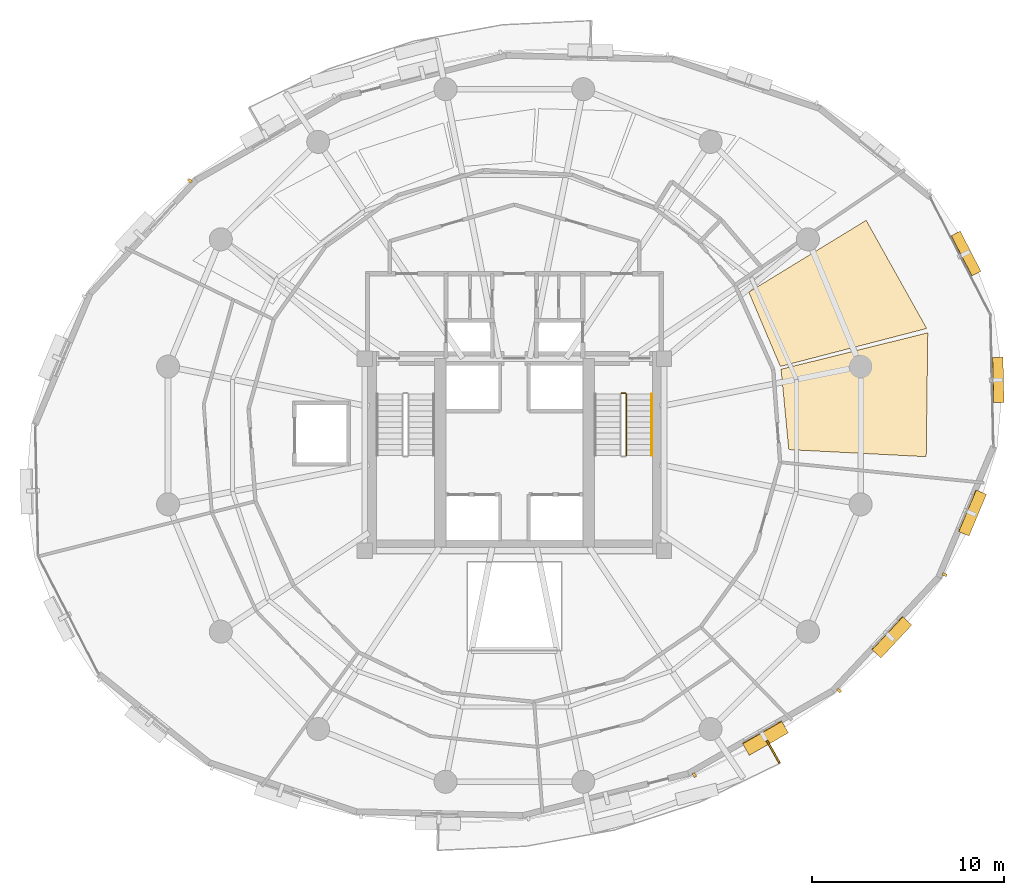
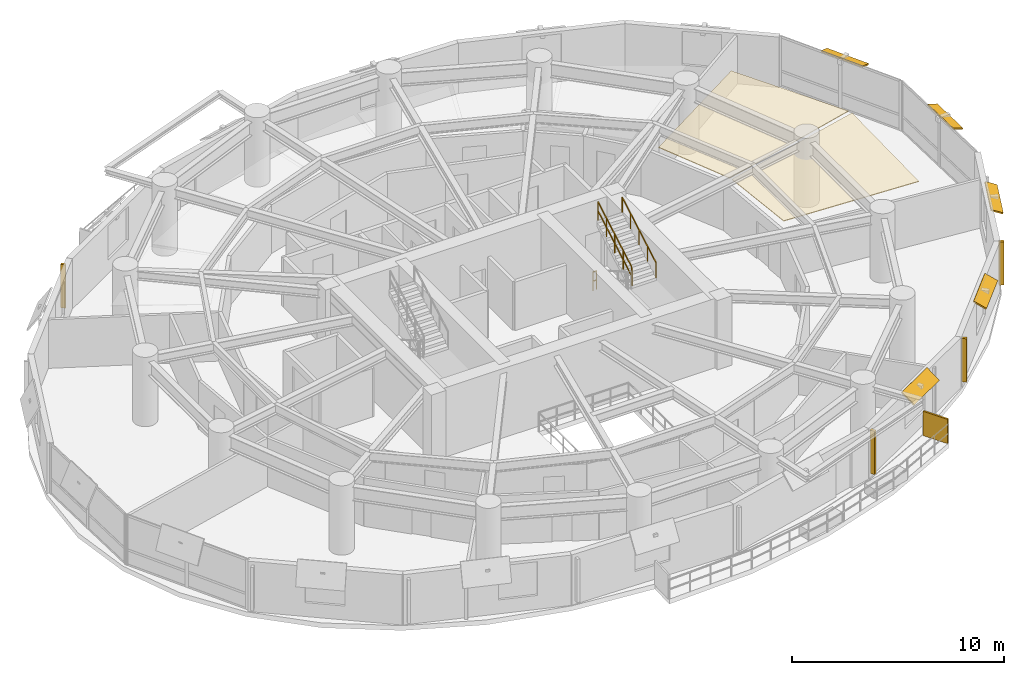
# One storey, part 14 of 15: 10 shading devices, 3 railings, 2 coverings.
"""IFC4 building model written with IfcOpenShell, lengths in metres."""

from ifc_helpers import new_model, si_unit, direction, frame, origin, origin_2d, place, context, subcontext, project, spatial, polyline, rectangle, outline, extrude, material, layer, layer_set, type_object, element, save


model = new_model("IFC4")

# Units and contexts
model_context = context("Model", 3, precision=1e-05, world=origin(), true_north=direction((0.0, 1.0)))
body_context = subcontext(model_context, "Body", "Model", "MODEL_VIEW")
ifc_project = project(units=[si_unit("LENGTHUNIT", "METRE"), si_unit("AREAUNIT", "SQUARE_METRE"), si_unit("VOLUMEUNIT", "CUBIC_METRE"), si_unit("PLANEANGLEUNIT", "RADIAN"), si_unit("MASSUNIT", "GRAM", prefix="KILO"), si_unit("THERMODYNAMICTEMPERATUREUNIT", "KELVIN"), si_unit("POWERUNIT", "WATT")], contexts=[model_context])

# Site, building, storey
site_placement = place(None, origin())
site = spatial("IfcSite", under=ifc_project, at=site_placement, CompositionType="ELEMENT")
building_placement = place(site_placement, origin())
building = spatial("IfcBuilding", under=site, at=building_placement, Name="Ocrelia Relay Tower", CompositionType="ELEMENT")
storey_placement = place(building_placement, frame((0.0, 0.0, 93.800048828125)))
storey = spatial("IfcBuildingStorey", under=building, at=storey_placement, Name="L21", CompositionType="ELEMENT", Elevation=93.800048828125)

# Coverings
ifc_material_1 = material(Name="Cleanroom metal-pan acoustic ceiling", Category="aluminium")
ifc_layer_1 = layer(ifc_material_1, 0.0400390625, Name="Cleanroom metal-pan acoustic ceiling")
ifc_layer_set_1 = layer_set([ifc_layer_1], Name="Cleanroom metal-pan acoustic ceiling")
covering_type = type_object("IfcCoveringType", Name="COV-CEIL-CLEAN", PredefinedType="CEILING", material=ifc_layer_set_1)
covering_1_placement = place(storey_placement, frame((0.0, 0.0, 2.719970703125)))
element("IfcCovering", 1, at=covering_1_placement, inside=storey, type_object=covering_type, Name="L21 Optical Telemetry Studio Suspended Ceiling 1", PredefinedType="CEILING", context=body_context, shape_type="SweptSolid", body=[
    extrude(outline(polyline([(48.301025390625, 25.262939453125), (55.46240234375, 24.89404296875), (55.544921875, 31.351806640625), (47.897705078125, 29.4521484375), (48.301025390625, 25.262939453125)])), origin(), (0.0, 0.0, 1.0), 0.0400390625),
])
covering_2_placement = place(storey_placement, frame((0.0, 0.0, 2.719970703125)))
element("IfcCovering", 2, at=covering_2_placement, inside=storey, type_object=covering_type, Name="L21 Optical Telemetry Studio Suspended Ceiling 2", PredefinedType="CEILING", context=body_context, shape_type="SweptSolid", body=[
    extrude(outline(polyline([(47.860595703125, 29.597412109375), (55.48779296875, 31.5771484375), (52.333740234375, 37.212890625), (46.21630859375, 33.471435546875), (47.860595703125, 29.597412109375)])), origin(), (0.0, 0.0, 1.0), 0.0400390625),
])

# Railings
ifc_material_2 = material(Name="Steel S355 balustrade", Category="steel")
railing_type_1 = type_object("IfcRailingType", Name="RL-STAIR-GUARD", PredefinedType="GUARDRAIL", material=ifc_material_2)
railing_1_placement = place(storey_placement, frame((39.830078125, 24.9599609375, 2.16650390625)))
element("IfcRailing", 3, at=railing_1_placement, inside=storey, type_object=railing_type_1, Name="L21 ST2 stair guard 3", PredefinedType="GUARDRAIL", context=body_context, shape_type="SweptSolid", body=[
    extrude(rectangle(XDim=0.048095703125, YDim=0.048095703125, at=origin_2d()), frame((0.0, 0.0, 1.076171875), z_axis=(0.0, 0.86699087805, 0.498324008431), x_axis=(-1.0, 0.0, 0.0)), (0.0, 0.0, 1.0), 3.679443359375),
    extrude(rectangle(XDim=0.048095703125, YDim=0.048095703125, at=origin_2d()), frame((0.0, 0.0, 0.550048828125), z_axis=(0.0, 0.86699087805, 0.498324008431), x_axis=(-1.0, 0.0, 0.0)), (0.0, 0.0, 1.0), 3.679443359375),
    extrude(rectangle(XDim=0.0419921875, YDim=0.0419921875, at=origin_2d()), origin(), (0.0, 0.0, 1.0), 1.052001953125),
    extrude(rectangle(XDim=0.0419921875, YDim=0.0419921875, at=origin_2d()), frame((0.0, 0.79736328125, 0.45849609375)), (0.0, 0.0, 1.0), 1.052001953125),
    extrude(rectangle(XDim=0.0419921875, YDim=0.0419921875, at=origin_2d()), frame((0.0, 1.594970703125, 0.916748046875)), (0.0, 0.0, 1.0), 1.052001953125),
    extrude(rectangle(XDim=0.0419921875, YDim=0.0419921875, at=origin_2d()), frame((0.0, 2.392578125, 1.375)), (0.0, 0.0, 1.0), 1.052001953125),
    extrude(rectangle(XDim=0.0419921875, YDim=0.0419921875, at=origin_2d()), frame((0.0, 3.18994140625, 1.83349609375)), (0.0, 0.0, 1.0), 1.052001953125),
])
railing_2_placement = place(storey_placement, frame((39.580078125, 28.199951171875, 0.0)))
element("IfcRailing", 4, at=railing_2_placement, inside=storey, type_object=railing_type_1, Name="L21 ST2 stair guard 4", PredefinedType="GUARDRAIL", context=body_context, shape_type="SweptSolid", body=[
    extrude(rectangle(XDim=0.048095703125, YDim=0.048095703125, at=origin_2d()), frame((0.0, 0.0, 1.076171875), z_axis=(1.0, 0.0, 0.0), x_axis=(0.0, 1.0, 0.0)), (0.0, 0.0, 1.0), 0.199951171875),
    extrude(rectangle(XDim=0.048095703125, YDim=0.048095703125, at=origin_2d()), frame((0.0, 0.0, 0.550048828125), z_axis=(1.0, 0.0, 0.0), x_axis=(0.0, 1.0, 0.0)), (0.0, 0.0, 1.0), 0.199951171875),
    extrude(rectangle(XDim=0.0419921875, YDim=0.0419921875, at=origin_2d()), origin(), (0.0, 0.0, 1.0), 1.052001953125),
    extrude(rectangle(XDim=0.0419921875, YDim=0.0419921875, at=origin_2d()), frame((0.199951171875, 0.0, 0.0)), (0.0, 0.0, 1.0), 1.052001953125),
])
ifc_material_3 = material(Name="Steel S355 tubular handrail", Category="steel")
railing_type_2 = type_object("IfcRailingType", Name="RL-STAIR-HAND", PredefinedType="HANDRAIL", material=ifc_material_3)
railing_3_placement = place(storey_placement, frame((41.14990234375, 24.9599609375, 2.16650390625)))
element("IfcRailing", 5, at=railing_3_placement, inside=storey, type_object=railing_type_2, Name="L21 ST2 stair handrail 2", PredefinedType="HANDRAIL", context=body_context, shape_type="SweptSolid", body=[
    extrude(rectangle(XDim=0.048095703125, YDim=0.048095703125, at=origin_2d()), frame((0.0, 0.0, 0.8759765625), z_axis=(0.0, 0.86699087805, 0.498324008431), x_axis=(-1.0, 0.0, 0.0)), (0.0, 0.0, 1.0), 3.679443359375),
    extrude(rectangle(XDim=0.0419921875, YDim=0.0419921875, at=origin_2d()), origin(), (0.0, 0.0, 1.0), 0.851806640625),
    extrude(rectangle(XDim=0.0419921875, YDim=0.0419921875, at=origin_2d()), frame((0.0, 0.79736328125, 0.45849609375)), (0.0, 0.0, 1.0), 0.851806640625),
    extrude(rectangle(XDim=0.0419921875, YDim=0.0419921875, at=origin_2d()), frame((0.0, 1.594970703125, 0.916748046875)), (0.0, 0.0, 1.0), 0.851806640625),
    extrude(rectangle(XDim=0.0419921875, YDim=0.0419921875, at=origin_2d()), frame((0.0, 2.392578125, 1.375)), (0.0, 0.0, 1.0), 0.851806640625),
    extrude(rectangle(XDim=0.0419921875, YDim=0.0419921875, at=origin_2d()), frame((0.0, 3.18994140625, 1.83349609375)), (0.0, 0.0, 1.0), 0.851806640625),
])

# Shading devices
ifc_material_4 = material(Name="Perforated oxide terracotta solar screen", Category="masonry")
ifc_layer_2 = layer(ifc_material_4, 0.090087890625, Name="Perforated oxide terracotta solar screen")
ifc_layer_set_2 = layer_set([ifc_layer_2], Name="Perforated oxide terracotta solar screen")
shading_device_type_1 = type_object("IfcShadingDeviceType", Name="SH-BALC-SCREEN", PredefinedType="USERDEFINED", material=ifc_layer_set_2)
shading_device_1_placement = place(storey_placement, frame((47.494873046875, 9.508544921875, 0.0), z_axis=(0.0, 0.0, 1.0), x_axis=(0.498556067607, -0.866857455094, 0.0)))
element("IfcShadingDevice", 6, at=shading_device_1_placement, inside=storey, type_object=shading_device_type_1, Name="L21 Balcony Perforated Terracotta Screen B2-2", ObjectType="SCREEN", PredefinedType="USERDEFINED", context=body_context, shape_type="SweptSolid", body=[
    extrude(rectangle(XDim=1.340087890625, YDim=0.090087890625, at=origin_2d()), origin(), (0.0, 0.0, 1.0), 1.39990234375),
])
ifc_material_5 = material(Name="Extruded oxide terracotta vertical baguette", Category="masonry")
shading_device_type_2 = type_object("IfcShadingDeviceType", Name="SH-TERR-BAGUETTE", PredefinedType="USERDEFINED", material=ifc_material_5)
for number, where, z_axis, x_axis, name in (
    (7, (17.083740234375, 39.28271484375, 0.199951171875), (0.0, 0.0, 1.0), (-0.682397030358, -0.730981732302, 0.0), "L21 Oxide Terracotta Vertical Baguette 07"),
    (8, (43.382568359375, 8.3056640625, 0.199951171875), (0.0, 0.0, 1.0), (0.86758249759, 0.497293283562, 0.0), "L21 Oxide Terracotta Vertical Baguette 15"),
    (9, (50.916259765625, 12.71728515625, 0.199951171875), (0.0, 0.0, 1.0), (0.682397030358, 0.730981732302, 0.0), "L21 Oxide Terracotta Vertical Baguette 16"),
    (10, (56.41357421875, 18.74853515625, 0.199951171875), (0.0, 0.0, 1.0), (0.387034679858, 0.922065158537, 0.0), "L21 Oxide Terracotta Vertical Baguette 17"),
):
    element("IfcShadingDevice", number, at=place(storey_placement, frame(where, z_axis=z_axis, x_axis=x_axis)), inside=storey, type_object=shading_device_type_2, Name=name, ObjectType="BAGUETTE", PredefinedType="USERDEFINED", context=body_context, shape_type="SweptSolid", body=[
        extrude(rectangle(XDim=0.139892578125, YDim=0.239990234375, at=origin_2d()), origin(), (0.0, 0.0, 1.0), 2.5),
    ])
ifc_material_6 = material(Name="Extruded oxide terracotta fin", Category="masonry")
ifc_layer_3 = layer(ifc_material_6, 0.080078125, Name="Extruded oxide terracotta fin")
ifc_layer_set_3 = layer_set([ifc_layer_3], Name="Extruded oxide terracotta fin")
shading_device_type_3 = type_object("IfcShadingDeviceType", Name="SH-VISOR-FIN-MED", PredefinedType="USERDEFINED", material=ifc_layer_set_3)
shading_device_2_placement = place(storey_placement, frame((47.064453125, 10.256591796875, 2.70751953125), z_axis=(0.291739630495, -0.508971678559, 0.809836908534), x_axis=(0.86758249759, 0.497293283562, 0.0)))
element("IfcShadingDevice", 11, at=shading_device_2_placement, inside=storey, type_object=shading_device_type_3, Name="L21 Canted Terracotta Sun-Visor Fin 15", ObjectType="FIN", PredefinedType="USERDEFINED", context=body_context, shape_type="SweptSolid", body=[
    extrude(rectangle(XDim=2.35009765625, YDim=0.84912109375, at=origin_2d()), origin(), (0.0, 0.0, 1.0), 0.080078125),
])
ifc_layer_4 = layer(ifc_material_6, 0.080078125, Name="Extruded oxide terracotta fin")
ifc_layer_set_4 = layer_set([ifc_layer_4], Name="Extruded oxide terracotta fin")
shading_device_type_4 = type_object("IfcShadingDeviceType", Name="SH-VISOR-FIN-SHAL", PredefinedType="USERDEFINED", material=ifc_layer_set_4)
shading_device_3_placement = place(storey_placement, frame((57.51953125, 35.471923828125, 2.701904296875), z_axis=(0.275239428294, 0.141572403043, 0.950894585014), x_axis=(-0.457400894292, 0.889260604042, 0.0)))
element("IfcShadingDevice", 12, at=shading_device_3_placement, inside=storey, type_object=shading_device_type_4, Name="L21 Canted Terracotta Sun-Visor Fin 01", ObjectType="FIN", PredefinedType="USERDEFINED", context=body_context, shape_type="SweptSolid", body=[
    extrude(rectangle(XDim=2.35009765625, YDim=0.551025390625, at=origin_2d()), origin(), (0.0, 0.0, 1.0), 0.080078125),
])
shading_device_4_placement = place(storey_placement, frame((53.649169921875, 15.5009765625, 2.70458984375), z_axis=(0.338660938321, -0.316151838542, 0.886203579231), x_axis=(0.682397030358, 0.730981732302, 0.0)))
element("IfcShadingDevice", 13, at=shading_device_4_placement, inside=storey, type_object=shading_device_type_4, Name="L21 Canted Terracotta Sun-Visor Fin 16", ObjectType="FIN", PredefinedType="USERDEFINED", context=body_context, shape_type="SweptSolid", body=[
    extrude(rectangle(XDim=2.35009765625, YDim=0.7099609375, at=origin_2d()), origin(), (0.0, 0.0, 1.0), 0.080078125),
])
shading_device_5_placement = place(storey_placement, frame((57.8525390625, 21.970458984375, 2.702880859375), z_axis=(0.348989744163, -0.14648762363, 0.925606576571), x_axis=(0.387034679858, 0.922065158537, 0.0)))
element("IfcShadingDevice", 14, at=shading_device_5_placement, inside=storey, type_object=shading_device_type_4, Name="L21 Canted Terracotta Sun-Visor Fin 17", ObjectType="FIN", PredefinedType="USERDEFINED", context=body_context, shape_type="SweptSolid", body=[
    extrude(rectangle(XDim=2.35009765625, YDim=0.62109375, at=origin_2d()), origin(), (0.0, 0.0, 1.0), 0.080078125),
])
shading_device_6_placement = place(storey_placement, frame((59.19384765625, 28.899169921875, 2.7021484375), z_axis=(0.32927874632, 0.007363801372, 0.944204046619), x_axis=(-0.02235783737, 0.999750032312, 0.0)))
element("IfcShadingDevice", 15, at=shading_device_6_placement, inside=storey, type_object=shading_device_type_4, Name="L21 Canted Terracotta Sun-Visor Fin 18", ObjectType="FIN", PredefinedType="USERDEFINED", context=body_context, shape_type="SweptSolid", body=[
    extrude(rectangle(XDim=2.35009765625, YDim=0.571044921875, at=origin_2d()), origin(), (0.0, 0.0, 1.0), 0.080078125),
])

save(model, "model.ifc")
